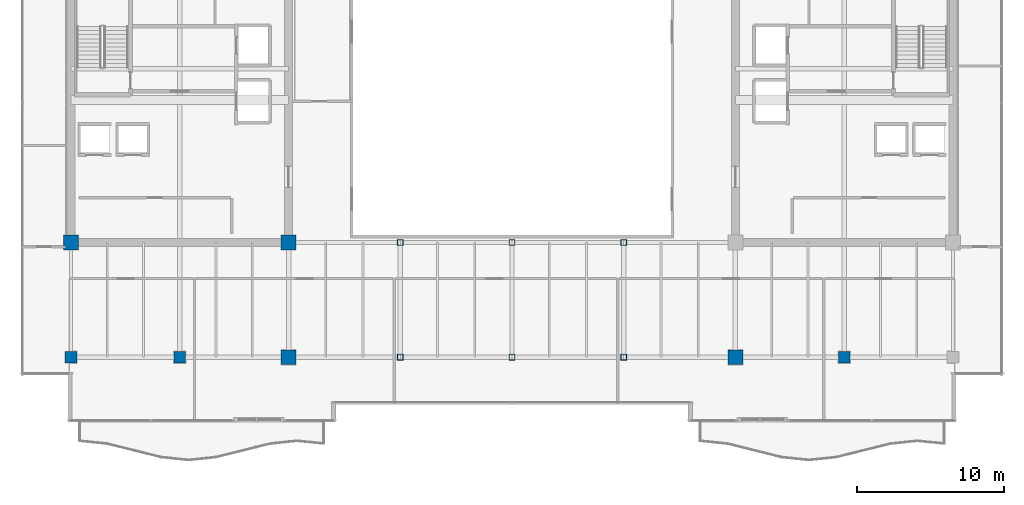
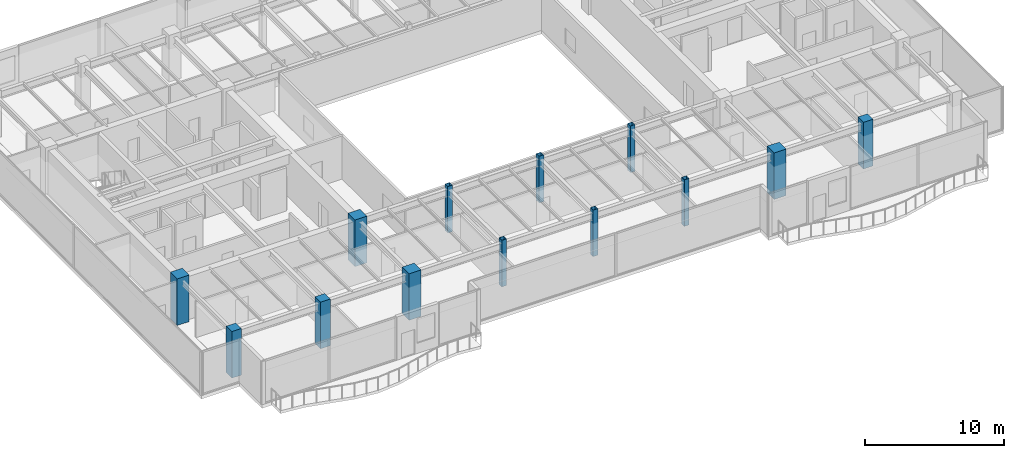
# One storey, part 1 of 35: 13 columns.
"""IFC4 building model written with IfcOpenShell, lengths in metres."""

from ifc_helpers import new_model, si_unit, direction, frame, origin, origin_2d, place, context, subcontext, project, spatial, rectangle, hollow_rectangle, extrude, source, transform, mapped, material, material_profile, profile_set, type_object, type_shapes, element, save


model = new_model("IFC4")

# Units and contexts
model_context = context("Model", 3, precision=1e-05, world=origin(), true_north=direction((0.0, 1.0)))
body_context = subcontext(model_context, "Body", "Model", "MODEL_VIEW")
ifc_project = project(units=[si_unit("LENGTHUNIT", "METRE"), si_unit("AREAUNIT", "SQUARE_METRE"), si_unit("VOLUMEUNIT", "CUBIC_METRE"), si_unit("PLANEANGLEUNIT", "RADIAN"), si_unit("MASSUNIT", "GRAM", prefix="KILO")], contexts=[model_context])

# Site, building, storey
site_placement = place(None, origin())
site = spatial("IfcSite", under=ifc_project, at=site_placement, CompositionType="ELEMENT")
building_placement = place(site_placement, origin())
building = spatial("IfcBuilding", under=site, at=building_placement, Name="Haelvirn Gate Laboratories", CompositionType="ELEMENT")
storey_placement = place(building_placement, frame((0.0, 0.0, 283.39990234375)))
storey = spatial("IfcBuildingStorey", under=building, at=storey_placement, Name="L68", CompositionType="ELEMENT", Elevation=283.39990234375)

# Columns
ifc_material_1 = material(Name="Concrete C60/75", Category="concrete")
ifc_material_profile_1 = material_profile(ifc_material_1, rectangle(XDim=1.0, YDim=1.0, at=origin_2d()), Name="RC-1000x1000")
ifc_profile_set_1 = profile_set([ifc_material_profile_1], Name="Concrete C60/75")
column_type_1 = type_object("IfcColumnType", Name="COL-RC-1000", PredefinedType="COLUMN", material=ifc_profile_set_1)
shared_shape_1 = source(origin(), body_context, "Body", "SweptSolid", [
    extrude(rectangle(XDim=1.0, YDim=1.0, at=origin_2d()), origin(), (0.0, 0.0, 1.0), 4.10009765625),
])
type_shapes(column_type_1, [shared_shape_1])
for number, where, z_axis, x_axis, name in (
    (1, (22.199951171875, 7.0, 0.0), (0.0, 0.0, 1.0), (1.0, 0.0, 0.0), "L68 Column 4B"),
    (2, (7.39990234375, 14.800048828125, 0.0), (0.0, 0.0, 1.0), (1.0, 0.0, 0.0), "L68 Column 2C"),
    (3, (22.199951171875, 14.800048828125, 0.0), (0.0, 0.0, 1.0), (1.0, 0.0, 0.0), "L68 Column 4C"),
    (4, (52.60009765625, 7.0, 0.0), (0.0, 0.0, 1.0), (1.0, 0.0, 0.0), "L68 Column 8B"),
):
    element("IfcColumn", number, at=place(storey_placement, frame(where, z_axis=z_axis, x_axis=x_axis)), inside=storey, type_object=column_type_1, Name=name, PredefinedType="COLUMN", context=body_context, shape_type="MappedRepresentation", body=[
        mapped(shared_shape_1, transform((0.0, 0.0, 0.0), scale=1.0)),
    ])
ifc_material_2 = material(Name="Concrete C50/60", Category="concrete")
ifc_material_profile_2 = material_profile(ifc_material_2, rectangle(XDim=0.800048828125, YDim=0.800048828125, at=origin_2d()), Name="RC-800x800")
ifc_profile_set_2 = profile_set([ifc_material_profile_2], Name="Concrete C50/60")
column_type_2 = type_object("IfcColumnType", Name="COL-RC-800", PredefinedType="COLUMN", material=ifc_profile_set_2)
shared_shape_2 = source(origin(), body_context, "Body", "SweptSolid", [
    extrude(rectangle(XDim=0.800048828125, YDim=0.800048828125, at=origin_2d()), origin(), (0.0, 0.0, 1.0), 4.10009765625),
])
type_shapes(column_type_2, [shared_shape_2])
for number, where, z_axis, x_axis, name in (
    (5, (14.800048828125, 7.0, 0.0), (0.0, 0.0, 1.0), (1.0, 0.0, 0.0), "L68 Column 3B"),
    (6, (60.0, 7.0, 0.0), (0.0, 0.0, 1.0), (1.0, 0.0, 0.0), "L68 Column 9B"),
    (7, (7.39990234375, 7.0, 0.0), (0.0, 0.0, 1.0), (1.0, 0.0, 0.0), "L68 Column 2B"),
):
    element("IfcColumn", number, at=place(storey_placement, frame(where, z_axis=z_axis, x_axis=x_axis)), inside=storey, type_object=column_type_2, Name=name, PredefinedType="COLUMN", context=body_context, shape_type="MappedRepresentation", body=[
        mapped(shared_shape_2, transform((0.0, 0.0, 0.0), scale=1.0)),
    ])
ifc_material_3 = material(Name="Steel SM355", Category="steel")
ifc_material_profile_3 = material_profile(ifc_material_3, hollow_rectangle(XDim=0.39990234375, YDim=0.39990234375, WallThickness=0.01904296875, at=origin_2d()), Name="BOX-400x400x19")
ifc_profile_set_3 = profile_set([ifc_material_profile_3], Name="Steel SM355")
column_type_3 = type_object("IfcColumnType", Name="COL-BOX-400", PredefinedType="COLUMN", material=ifc_profile_set_3)
shared_shape_3 = source(origin(), body_context, "Body", "SweptSolid", [
    extrude(hollow_rectangle(XDim=0.39990234375, YDim=0.39990234375, WallThickness=0.01904296875, at=origin_2d()), origin(), (0.0, 0.0, 1.0), 4.10009765625),
])
type_shapes(column_type_3, [shared_shape_3])
for number, where, z_axis, x_axis, name in (
    (8, (29.800048828125, 7.0, 0.0), (0.0, 0.0, 1.0), (1.0, 0.0, 0.0), "L68 Column 5B"),
    (9, (29.800048828125, 14.800048828125, 0.0), (0.0, 0.0, 1.0), (1.0, 0.0, 0.0), "L68 Column 5C"),
    (10, (37.39990234375, 7.0, 0.0), (0.0, 0.0, 1.0), (1.0, 0.0, 0.0), "L68 Column 6B"),
    (11, (37.39990234375, 14.800048828125, 0.0), (0.0, 0.0, 1.0), (1.0, 0.0, 0.0), "L68 Column 6C"),
    (12, (45.0, 7.0, 0.0), (0.0, 0.0, 1.0), (1.0, 0.0, 0.0), "L68 Column 7B"),
    (13, (45.0, 14.800048828125, 0.0), (0.0, 0.0, 1.0), (1.0, 0.0, 0.0), "L68 Column 7C"),
):
    element("IfcColumn", number, at=place(storey_placement, frame(where, z_axis=z_axis, x_axis=x_axis)), inside=storey, type_object=column_type_3, Name=name, PredefinedType="COLUMN", context=body_context, shape_type="MappedRepresentation", body=[
        mapped(shared_shape_3, transform((0.0, 0.0, 0.0), scale=1.0)),
    ])

save(model, "model.ifc")
